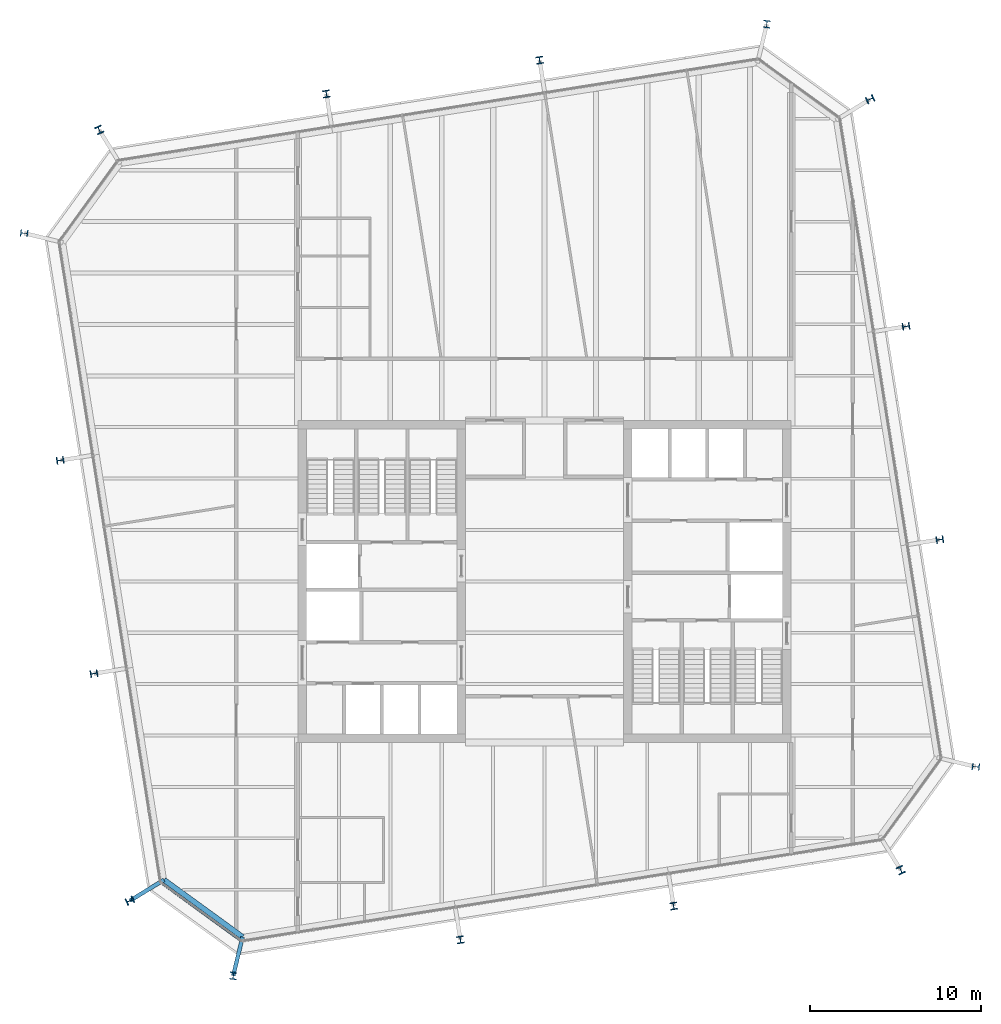
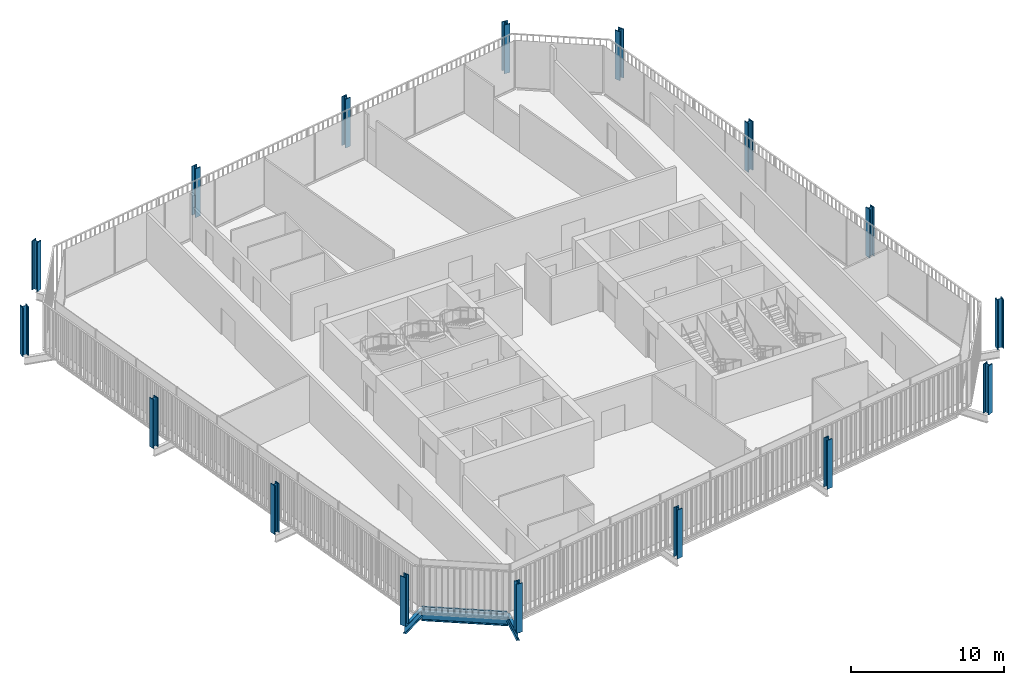
# One storey, part 1 of 20: 16 columns, 3 beams, 1 member, 1 element without a shape of its own.
"""IFC4 building model written with IfcOpenShell, lengths in metres."""

import ifcopenshell
import ifcopenshell.guid

model = None  # the IFC model being written
_history = None  # IfcOwnerHistory: only IFC2X3 demands one
_inside = {}  # id of a spatial element -> (the spatial element, [elements in it])
_under = {}  # id of a project, library or spatial element -> (it, [spatial elements below it])
_declared = {}  # id of a project -> (the project, [libraries it declares])
_typed = {}  # id of a type object -> (the type object, [elements of that type])
_made_of = {}  # id of a material, layer set ... -> (it, [elements and type objects made of it])


def new_model(schema):
    """Start an empty IFC model of exactly this schema.

    Asked for "IFC4X3", IfcOpenShell would pick the latest addendum, in which some entities
    have other attributes; the version numbers below select the first issue.
    IFC2X3 requires an IfcOwnerHistory on every rooted entity: one is made here for all.
    """
    global model, _history
    if schema == "IFC4X3":
        model = ifcopenshell.file(schema_version=(4, 3, 0, 0))
    else:
        model = ifcopenshell.file(schema=schema)
    _inside.clear()
    _under.clear()
    _declared.clear()
    _typed.clear()
    _made_of.clear()
    _history = None
    if model.schema == "IFC2X3":
        org = make("IfcOrganization", Name="unknown")
        user = make(
            "IfcPersonAndOrganization",
            ThePerson=make("IfcPerson", FamilyName="unknown"),
            TheOrganization=org,
        )
        app = make(
            "IfcApplication",
            ApplicationDeveloper=org,
            Version="unknown",
            ApplicationFullName="unknown",
            ApplicationIdentifier="unknown",
        )
        _history = make(
            "IfcOwnerHistory",
            OwningUser=user,
            OwningApplication=app,
            ChangeAction="ADDED",
            CreationDate=0,
        )
    return model


def make(cls, **values):
    """One entity of the class cls with the attributes given. An attribute that is None is left unset."""
    return model.create_entity(
        cls, **{name: value for name, value in values.items() if value is not None}
    )


def rooted(cls, **values):
    """An entity with a GlobalId (a new one), such as an element, a storey or a relation."""
    return make(cls, GlobalId=ifcopenshell.guid.new(), OwnerHistory=_history, **values)


def si_unit(unit_type, name, prefix=None):
    """IfcSIUnit, for example si_unit("LENGTHUNIT", "METRE", prefix="MILLI")."""
    return make("IfcSIUnit", UnitType=unit_type, Prefix=prefix, Name=name)


def assignment(units):
    """IfcUnitAssignment: the units of a project."""
    return None if units is None else make("IfcUnitAssignment", Units=units)


def point(xyz):
    """IfcCartesianPoint."""
    return None if xyz is None else make("IfcCartesianPoint", Coordinates=xyz)


def direction(xyz):
    """IfcDirection."""
    return None if xyz is None else make("IfcDirection", DirectionRatios=xyz)


def frame(location, z_axis=None, x_axis=None):
    """IfcAxis2Placement3D, a coordinate frame: its origin and axes. An axis left out is left unset."""
    return make(
        "IfcAxis2Placement3D",
        Location=point(location),
        Axis=direction(z_axis),
        RefDirection=direction(x_axis),
    )


def frame_2d(location, x_axis=None):
    """IfcAxis2Placement2D, a coordinate frame in the plane: its origin and x axis."""
    return make(
        "IfcAxis2Placement2D", Location=point(location), RefDirection=direction(x_axis)
    )


def origin():
    """The frame at (0, 0, 0) with its axes left unset."""
    return frame((0.0, 0.0, 0.0))


def origin_2d():
    """The frame at (0, 0) in the plane with its x axis left unset."""
    return frame_2d((0.0, 0.0))


def place(relative_to, where):
    """IfcLocalPlacement: puts the frame where relative to a parent placement (None: the world)."""
    return make(
        "IfcLocalPlacement", PlacementRelTo=relative_to, RelativePlacement=where
    )


def context(
    kind, dimensions, precision=None, world=None, true_north=None, identifier=None
):
    """IfcGeometricRepresentationContext, for example the 3D "Model" context."""
    return make(
        "IfcGeometricRepresentationContext",
        ContextIdentifier=identifier,
        ContextType=kind,
        CoordinateSpaceDimension=dimensions,
        Precision=precision,
        WorldCoordinateSystem=world,
        TrueNorth=true_north,
    )


def subcontext(parent, identifier, kind, view, scale=None):
    """IfcGeometricRepresentationSubContext, for example "Body" below "Model"."""
    return make(
        "IfcGeometricRepresentationSubContext",
        ContextIdentifier=identifier,
        ContextType=kind,
        ParentContext=parent,
        TargetScale=scale,
        TargetView=view,
    )


def project(units=None, contexts=None):
    """IfcProject with its units and contexts."""
    return rooted(
        "IfcProject",
        Name="project",
        RepresentationContexts=contexts,
        UnitsInContext=assignment(units),
    )


def spatial(cls, under=None, at=None, **own):
    """A site, building, storey or space (cls), placed at a placement, below another one or the project."""
    s = rooted(cls, ObjectPlacement=at, **own)
    if under is not None:
        _under.setdefault(under.id(), (under, []))[1].append(s)
    return s


def profile(cls, at=None, kind="AREA", **sizes):
    """A parametric profile (cls). Its sizes go by their IFC names, for example OverallWidth=200.0."""
    return make(cls, ProfileType=kind, Position=at, **sizes)


def rectangle(**sizes):
    """IfcRectangleProfileDef."""
    return profile("IfcRectangleProfileDef", **sizes)


def i_section(**sizes):
    """IfcIShapeProfileDef."""
    return profile("IfcIShapeProfileDef", **sizes)


def extrude(swept, where, along, depth):
    """IfcExtrudedAreaSolid: the profile swept, set in the frame where, extruded along a direction by depth."""
    return make(
        "IfcExtrudedAreaSolid",
        SweptArea=swept,
        Position=where,
        ExtrudedDirection=direction(along),
        Depth=depth,
    )


def shape(context_of_items, identifier, shape_type, items):
    """IfcShapeRepresentation: the items that make up one representation, for example the "Body"."""
    return make(
        "IfcShapeRepresentation",
        ContextOfItems=context_of_items,
        RepresentationIdentifier=identifier,
        RepresentationType=shape_type,
        Items=items,
    )


def material(Name=None, Category=None):
    """IfcMaterial."""
    return make("IfcMaterial", Name=Name, Category=Category)


def layer(
    of_material, thickness, ventilated=None, Name=None, Category=None, Priority=None
):
    """IfcMaterialLayer: one layer of a wall or slab, of a material (None: an air gap)."""
    return make(
        "IfcMaterialLayer",
        Material=of_material,
        LayerThickness=thickness,
        IsVentilated=ventilated,
        Name=Name,
        Category=Category,
        Priority=Priority,
    )


def layer_set(layers, Name=None):
    """IfcMaterialLayerSet."""
    return make("IfcMaterialLayerSet", MaterialLayers=layers, LayerSetName=Name)


def material_profile(
    of_material, cross_section, Name=None, Category=None, Priority=None
):
    """IfcMaterialProfile: a cross section and its material."""
    return make(
        "IfcMaterialProfile",
        Name=Name,
        Material=of_material,
        Profile=cross_section,
        Priority=Priority,
        Category=Category,
    )


def profile_set(profiles, Name=None, composite=None):
    """IfcMaterialProfileSet."""
    return make(
        "IfcMaterialProfileSet",
        Name=Name,
        MaterialProfiles=profiles,
        CompositeProfile=composite,
    )


def made_of(thing, what):
    """Note that an element or type object is made of a material, layer set ...; save() writes the relation."""
    if what is not None:
        _made_of.setdefault(what.id(), (what, []))[1].append(thing)
    return thing


def type_object(cls, material=None, **own):
    """A type object (cls), such as IfcWallType, which elements share."""
    return made_of(rooted(cls, **own), material)


def element(
    cls,
    number,
    at=None,
    inside=None,
    cuts=None,
    type_object=None,
    material=None,
    context=None,
    identifier="Body",
    shape_type=None,
    held_by="IfcProductDefinitionShape",
    body=None,
    shapes=None,
    **own,
):
    """One element of the class cls, such as IfcWall. Its Tag is "e" and its number.

    at: its placement. inside: the storey or other place that contains it. cuts: it is an
    opening in that element (IfcRelVoidsElement). A single representation is given by context,
    identifier, shape_type and body (its items); several are given by shapes. held_by: the class
    of the entity that holds the representations. save() writes the other relations.
    """
    e = rooted(cls, Tag="e%d" % number, ObjectPlacement=at, **own)
    if body is not None:
        shapes = [shape(context, identifier, shape_type, body)]
    if shapes is not None:
        e.Representation = make(held_by, Representations=shapes)
    if inside is not None:
        _inside.setdefault(inside.id(), (inside, []))[1].append(e)
    if cuts is not None:
        rooted(
            "IfcRelVoidsElement", RelatingBuildingElement=cuts, RelatedOpeningElement=e
        )
    if type_object is not None:
        _typed.setdefault(type_object.id(), (type_object, []))[1].append(e)
    return made_of(e, material)


def aggregate(whole, parts):
    """IfcRelAggregates: a whole, such as a stair, and the parts it consists of."""
    return rooted("IfcRelAggregates", RelatingObject=whole, RelatedObjects=parts)


def save(model, path):
    """Write the relations noted so far, then the file.

    IfcRelAggregates (storeys below a building ...), IfcRelContainedInSpatialStructure (elements
    in a storey), IfcRelDefinesByType, IfcRelAssociatesMaterial and IfcRelDeclares: one each for
    every whole, place, type object, material and project.
    """
    for whole, parts in _under.values():
        aggregate(whole, parts)
    for where, things in _inside.values():
        rooted(
            "IfcRelContainedInSpatialStructure",
            RelatedElements=things,
            RelatingStructure=where,
        )
    for kind, things in _typed.values():
        rooted("IfcRelDefinesByType", RelatedObjects=things, RelatingType=kind)
    for what, things in _made_of.values():
        rooted("IfcRelAssociatesMaterial", RelatedObjects=things, RelatingMaterial=what)
    for by, libraries in _declared.values():
        rooted("IfcRelDeclares", RelatingContext=by, RelatedDefinitions=libraries)
    model.write(path)


model = new_model("IFC4")

# Units and contexts
model_context = context("Model", 3, precision=1e-05, world=origin(), true_north=direction((0.0, 1.0)))
body_context = subcontext(model_context, "Body", "Model", "MODEL_VIEW")
ifc_project = project(units=[si_unit("LENGTHUNIT", "METRE"), si_unit("AREAUNIT", "SQUARE_METRE"), si_unit("VOLUMEUNIT", "CUBIC_METRE"), si_unit("PLANEANGLEUNIT", "RADIAN"), si_unit("MASSUNIT", "GRAM", prefix="KILO")], contexts=[model_context])

# Site, building, storey
site_placement = place(None, origin())
site = spatial("IfcSite", under=ifc_project, at=site_placement, CompositionType="ELEMENT")
building_placement = place(site_placement, origin())
building = spatial("IfcBuilding", under=site, at=building_placement, Name="Millrace Tower", CompositionType="ELEMENT")
storey_placement = place(building_placement, frame((0.0, 0.0, 224.199951171875)))
storey = spatial("IfcBuildingStorey", under=building, at=storey_placement, Name="L51", CompositionType="ELEMENT", Elevation=224.199951171875)

# Columns
ifc_material_1 = material(Name="Steel ASTM A913 Grade 65", Category="steel")
ifc_material_profile_1 = material_profile(ifc_material_1, i_section(OverallWidth=0.408935546875, OverallDepth=0.424072265625, WebThickness=0.03271484375, FlangeThickness=0.052490234375, FilletRadius=0.01513671875, at=origin_2d()))
ifc_profile_set_1 = profile_set([ifc_material_profile_1], Name="Steel ASTM A913 Grade 65")
column_type_1 = type_object("IfcColumnType", Name="Exoskeleton column W14x283", PredefinedType="COLUMN", material=ifc_profile_set_1)
for number, where, z_axis, x_axis, name in (
    (1, (-4.91162109375, -20.927734375, 0.0), (0.0, 0.0, 1.0), (0.987688341035, 0.156434462265, 0.0), "COL-D-L51-X03"),
    (2, (7.533203125, -18.956787109375, 0.0), (0.0, 0.0, 1.0), (0.987688341035, 0.156434462265, 0.0), "COL-D-L51-X04"),
    (3, (23.07763671875, 2.4384765625, 0.0), (0.0, 0.0, 1.0), (-0.156434462265, 0.987688341035, 0.0), "COL-D-L51-X07"),
    (4, (21.106689453125, 14.88330078125, 0.0), (0.0, 0.0, 1.0), (-0.156434462265, 0.987688341035, 0.0), "COL-D-L51-X08"),
    (5, (-0.288330078125, 30.427734375, 0.0), (0.0, 0.0, 1.0), (-0.987688341035, -0.156434462265, 0.0), "COL-D-L51-X11"),
    (6, (-12.7333984375, 28.456787109375, 0.0), (0.0, 0.0, 1.0), (-0.987688341035, -0.156434462265, 0.0), "COL-D-L51-X12"),
    (7, (-28.27783203125, 7.0615234375, 0.0), (0.0, 0.0, 1.0), (0.156434462265, -0.987688341035, 0.0), "COL-D-L51-X15"),
    (8, (-26.306640625, -5.38330078125, 0.0), (0.0, 0.0, 1.0), (0.156434462265, -0.987688341035, 0.0), "COL-D-L51-X16"),
):
    element("IfcColumn", number, at=place(storey_placement, frame(where, z_axis=z_axis, x_axis=x_axis)), inside=storey, type_object=column_type_1, Name=name, PredefinedType="COLUMN", context=body_context, shape_type="SweptSolid", body=[
        extrude(i_section(OverallWidth=0.408935546875, OverallDepth=0.424072265625, WebThickness=0.03271484375, FlangeThickness=0.052490234375, FilletRadius=0.01513671875, at=origin_2d()), origin(), (0.0, 0.0, 1.0), 3.900146484375),
    ])
ifc_material_2 = material(Name="Steel ASTM A913 Grade 65", Category="steel")
ifc_material_profile_2 = material_profile(ifc_material_2, i_section(OverallWidth=0.41650390625, OverallDepth=0.444580078125, WebThickness=0.0390625, FlangeThickness=0.062744140625, FilletRadius=0.01513671875, at=origin_2d()))
ifc_profile_set_2 = profile_set([ifc_material_profile_2], Name="Steel ASTM A913 Grade 65")
column_type_2 = type_object("IfcColumnType", Name="Exoskeleton column W14x342", PredefinedType="COLUMN", material=ifc_profile_set_2)
for number, where, z_axis, x_axis, name in (
    (9, (-24.2060546875, -18.646484375, 0.0), (0.0, 0.0, 1.0), (0.418552981224, -0.908192381552, 0.0), "COL-D-L51-X01"),
    (10, (-18.174560546875, -23.0283203125, 0.0), (0.0, 0.0, 1.0), (0.993082267365, -0.117420655103, 0.0), "COL-D-L51-X02"),
    (11, (20.79638671875, -16.85595703125, 0.0), (0.0, 0.0, 1.0), (0.908192381552, 0.418552981224, 0.0), "COL-D-L51-X05"),
    (12, (25.178466796875, -10.82470703125, 0.0), (0.0, 0.0, 1.0), (0.117420655103, 0.993082267365, 0.0), "COL-D-L51-X06"),
    (13, (19.006103515625, 28.146484375, 0.0), (0.0, 0.0, 1.0), (-0.418552981224, 0.908192381552, 0.0), "COL-D-L51-X09"),
    (14, (12.974609375, 32.5283203125, 0.0), (0.0, 0.0, 1.0), (-0.993082267365, 0.117420655103, 0.0), "COL-D-L51-X10"),
    (15, (-25.996337890625, 26.35595703125, 0.0), (0.0, 0.0, 1.0), (-0.908192381552, -0.418552981224, 0.0), "COL-D-L51-X13"),
    (16, (-30.37841796875, 20.32470703125, 0.0), (0.0, 0.0, 1.0), (-0.117420655103, -0.993082267365, 0.0), "COL-D-L51-X14"),
):
    element("IfcColumn", number, at=place(storey_placement, frame(where, z_axis=z_axis, x_axis=x_axis)), inside=storey, type_object=column_type_2, Name=name, PredefinedType="COLUMN", context=body_context, shape_type="SweptSolid", body=[
        extrude(i_section(OverallWidth=0.41650390625, OverallDepth=0.444580078125, WebThickness=0.0390625, FlangeThickness=0.062744140625, FilletRadius=0.01513671875, at=origin_2d()), origin(), (0.0, 0.0, 1.0), 3.900146484375),
    ])

# Curtain wall, member
ifc_material_3 = material(Name="Aluminium and glass", Category="aluminium")
ifc_layer = layer(ifc_material_3, 0.14990234375)
ifc_layer_set = layer_set([ifc_layer], Name="Aluminium and glass")
curtain_wall_type = type_object("IfcCurtainWallType", Name="CW-1 office vision curtain wall", PredefinedType="NOTDEFINED", material=ifc_layer_set)
curtain_wall_placement = place(storey_placement, origin())
curtain_wall = element("IfcCurtainWall", 17, at=curtain_wall_placement, inside=storey, type_object=curtain_wall_type, Name="Curtain wall D-F01 L51", PredefinedType="NOTDEFINED")
ifc_material_4 = material(Name="Aluminium", Category="aluminium")
ifc_material_profile_3 = material_profile(ifc_material_4, rectangle(XDim=0.14990234375, YDim=0.139892578125, at=origin_2d()))
ifc_profile_set_3 = profile_set([ifc_material_profile_3], Name="Aluminium")
member_type = type_object("IfcMemberType", Name="CW-1 office vision curtain wall transom", PredefinedType="USERDEFINED", material=ifc_profile_set_3)
member_placement = place(storey_placement, frame((-22.323486328125, -17.634765625, 0.070068359375), z_axis=(0.809033935994, -0.587761933448, 0.0), x_axis=(0.587761933448, 0.809033935994, 0.0)))
member = element("IfcMember", 18, at=member_placement, type_object=member_type, Name="CW1 transom D-F01.1", ObjectType="TRANSOM", PredefinedType="USERDEFINED", context=body_context, shape_type="SweptSolid", body=[
    extrude(rectangle(XDim=0.14990234375, YDim=0.139892578125, at=origin_2d()), origin(), (0.0, 0.0, 1.0), 5.598388671875),
])
aggregate(curtain_wall, [member])

# Beams
ifc_material_5 = material(Name="Steel ASTM A992 Grade 50", Category="steel")
ifc_material_profile_4 = material_profile(ifc_material_5, i_section(OverallWidth=0.23046875, OverallDepth=0.6171875, WebThickness=0.01318359375, FlangeThickness=0.022216796875, FilletRadius=0.012939453125, at=origin_2d()))
ifc_profile_set_4 = profile_set([ifc_material_profile_4], Name="Steel ASTM A992 Grade 50")
beam_type_1 = type_object("IfcBeamType", Name="Link beam W24x94", PredefinedType="BEAM", material=ifc_profile_set_4)
for number, where, z_axis, x_axis, name in (
    (19, (-22.218505859375, -17.428466796875, -0.468505859375), (-0.852631355792, -0.522512938711, 0.0), (0.522512938711, -0.852631355792, 0.0), "LNK-D-L51-S1-01"),
    (20, (-17.63037109375, -20.76171875, -0.468505859375), (-0.233456138164, -0.972367333652, 0.0), (0.972367333652, -0.233456138164, 0.0), "LNK-D-L51-S1-16"),
):
    element("IfcBeam", number, at=place(storey_placement, frame(where, z_axis=z_axis, x_axis=x_axis)), inside=storey, type_object=beam_type_1, Name=name, PredefinedType="BEAM", context=body_context, shape_type="SweptSolid", body=[
        extrude(i_section(OverallWidth=0.23046875, OverallDepth=0.6171875, WebThickness=0.01318359375, FlangeThickness=0.022216796875, FilletRadius=0.012939453125, at=origin_2d()), origin(), (0.0, 0.0, 1.0), 2.3310546875),
    ])
ifc_material_6 = material(Name="Steel ASTM A992 Grade 50", Category="steel")
ifc_material_profile_5 = material_profile(ifc_material_6, i_section(OverallWidth=0.307373046875, OverallDepth=0.927001953125, WebThickness=0.01953125, FlangeThickness=0.031982421875, FilletRadius=0.01904296875, at=origin_2d()))
ifc_profile_set_5 = profile_set([ifc_material_profile_5], Name="Steel ASTM A992 Grade 50")
beam_type_2 = type_object("IfcBeamType", Name="Ring beam short span W36x194", PredefinedType="SPANDREL", material=ifc_profile_set_5)
beam_placement = place(storey_placement, frame((-17.63037109375, -20.76171875, -0.62353515625), z_axis=(-0.809035699289, 0.587759506326, 0.0), x_axis=(-0.587759506326, -0.809035699289, 0.0)))
element("IfcBeam", 21, at=beam_placement, inside=storey, type_object=beam_type_2, Name="RNG-D-L51-S1-16", PredefinedType="SPANDREL", context=body_context, shape_type="SweptSolid", body=[
    extrude(i_section(OverallWidth=0.307373046875, OverallDepth=0.927001953125, WebThickness=0.01953125, FlangeThickness=0.031982421875, FilletRadius=0.01904296875, at=origin_2d()), origin(), (0.0, 0.0, 1.0), 5.671142578125),
])

save(model, "model.ifc")
